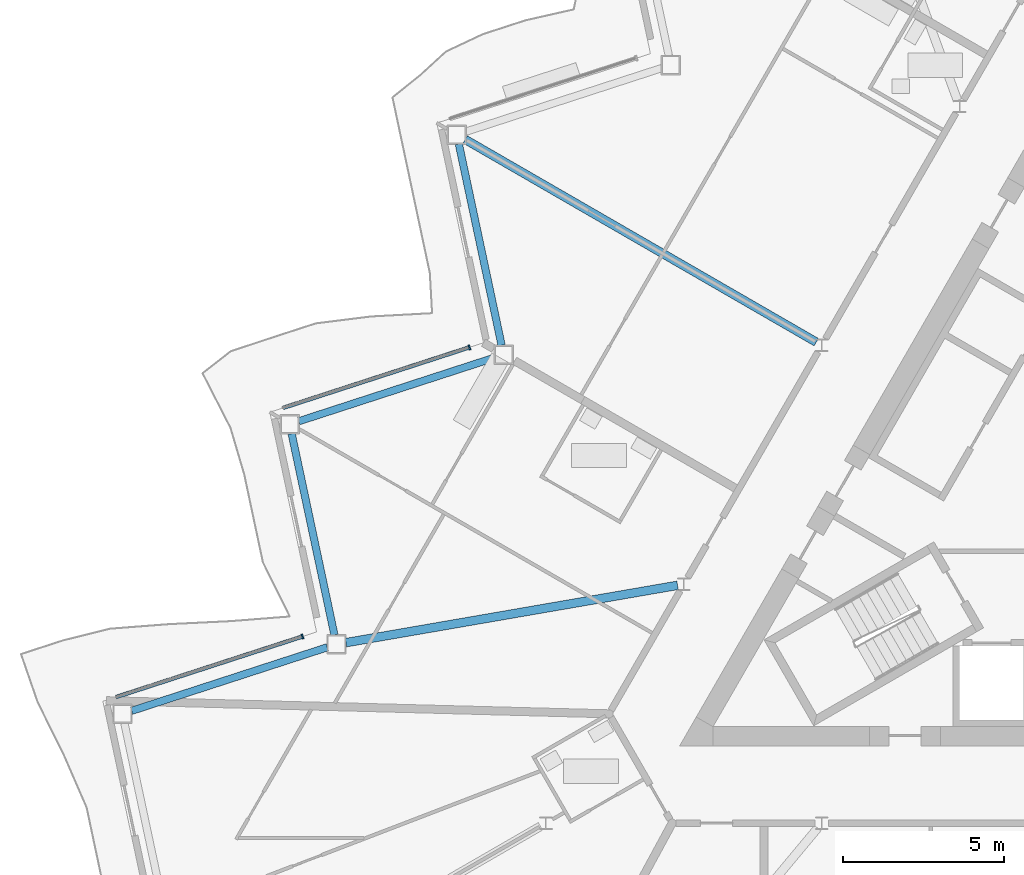
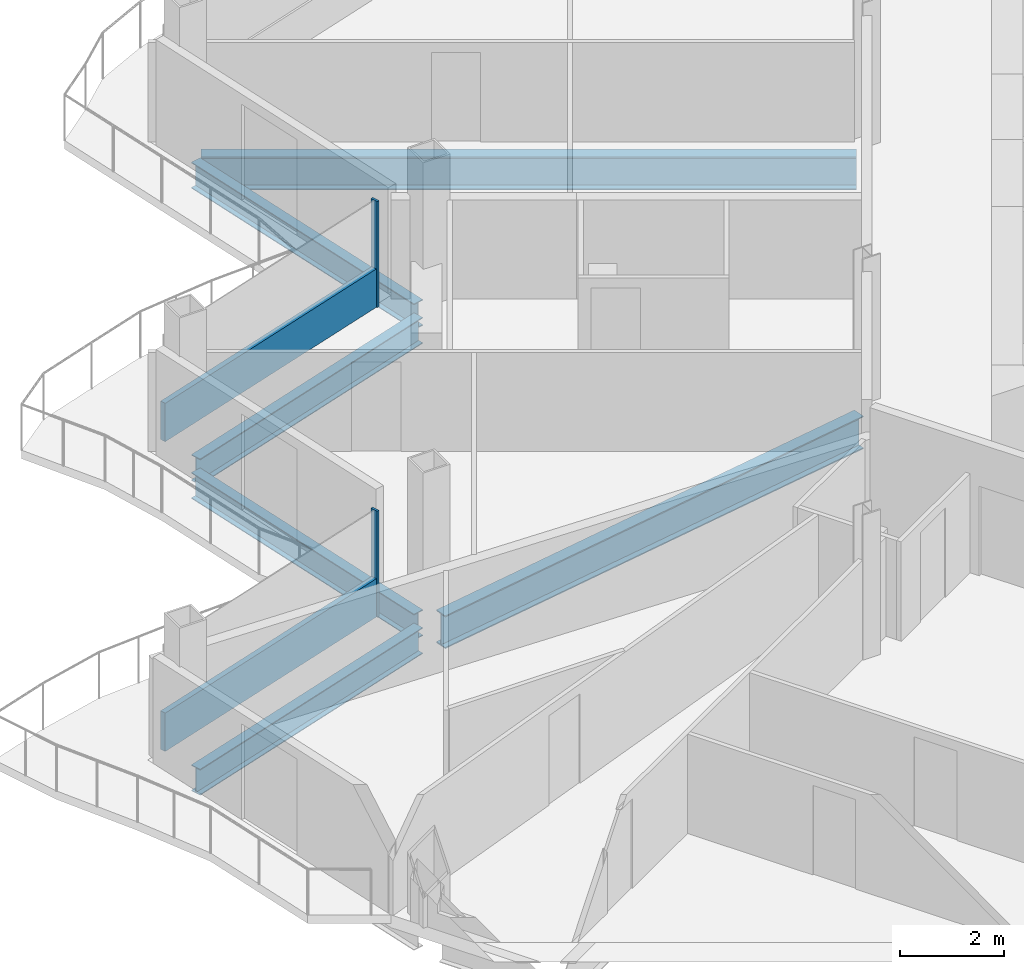
# One storey, part 6 of 28: 6 beams, 4 members, 2 elements without a shape of their own.
"""IFC4 building model written with IfcOpenShell, lengths in metres."""

from ifc_helpers import new_model, si_unit, direction, frame, origin, origin_2d, place, context, subcontext, project, spatial, rectangle, i_section, extrude, material, layer, layer_set, material_profile, profile_set, type_object, element, aggregate, save


model = new_model("IFC4")

# Units and contexts
model_context = context("Model", 3, precision=1e-05, world=origin(), true_north=direction((0.0, 1.0)))
body_context = subcontext(model_context, "Body", "Model", "MODEL_VIEW")
ifc_project = project(units=[si_unit("LENGTHUNIT", "METRE"), si_unit("AREAUNIT", "SQUARE_METRE"), si_unit("VOLUMEUNIT", "CUBIC_METRE"), si_unit("PLANEANGLEUNIT", "RADIAN"), si_unit("MASSUNIT", "GRAM", prefix="KILO")], contexts=[model_context])

# Site, building, storey
site_placement = place(None, origin())
site = spatial("IfcSite", under=ifc_project, at=site_placement, CompositionType="ELEMENT")
building_placement = place(site_placement, origin())
building = spatial("IfcBuilding", under=site, at=building_placement, Name="Cormorant Prow Tower", CompositionType="ELEMENT")
storey_placement = place(building_placement, frame((0.0, 0.0, 308.60009765625)))
storey = spatial("IfcBuildingStorey", under=building, at=storey_placement, Name="L67", CompositionType="ELEMENT", Elevation=308.60009765625)

# Beams
ifc_material_1 = material(Name="Structural steel ASTM A992 Gr 50", Category="steel")
ifc_material_profile_1 = material_profile(ifc_material_1, i_section(OverallWidth=0.267822265625, OverallDepth=0.77001953125, WebThickness=0.015625, FlangeThickness=0.025390625, at=origin_2d()), Name="W30x132")
ifc_profile_set_1 = profile_set([ifc_material_profile_1], Name="Structural steel ASTM A992 Gr 50")
beam_type_1 = type_object("IfcBeamType", Name="Radial floor beam W30x132", PredefinedType="BEAM", material=ifc_profile_set_1)
beam_1_placement = place(storey_placement, frame((-8.749755859375, 5.051513671875, -0.68505859375), z_axis=(-0.866021086443, 0.50000747778, 0.0), x_axis=(-0.50000747778, -0.866021086443, 0.0)))
element("IfcBeam", 1, at=beam_1_placement, inside=storey, type_object=beam_type_1, Name="Radial floor beam FB3 3 L67", PredefinedType="BEAM", context=body_context, shape_type="SweptSolid", body=[
    extrude(i_section(OverallWidth=0.267822265625, OverallDepth=0.77001953125, WebThickness=0.015625, FlangeThickness=0.025390625, at=origin_2d()), origin(), (0.0, 0.0, 1.0), 12.604736328125),
])
beam_2_placement = place(storey_placement, frame((-13.0625, -2.510009765625, -0.68505859375), z_axis=(-0.985379592304, -0.170373293304, 0.0), x_axis=(0.170373293304, -0.985379592304, 0.0)))
element("IfcBeam", 2, at=beam_2_placement, inside=storey, type_object=beam_type_1, Name="Radial floor beam FB3 4 L67", PredefinedType="BEAM", context=body_context, shape_type="SweptSolid", body=[
    extrude(i_section(OverallWidth=0.267822265625, OverallDepth=0.77001953125, WebThickness=0.015625, FlangeThickness=0.025390625, at=origin_2d()), origin(), (0.0, 0.0, 1.0), 10.465087890625),
])

# Curtain wall, member
ifc_material_2 = material(Name="Aluminium 6063-T6", Category="aluminium")
ifc_layer = layer(ifc_material_2, 0.159912109375)
ifc_layer_set = layer_set([ifc_layer], Name="Aluminium 6063-T6")
curtain_wall_type = type_object("IfcCurtainWallType", Name="Residential unitised curtain wall 160", PredefinedType="NOTDEFINED", material=ifc_layer_set)
curtain_wall_1_placement = place(storey_placement, origin())
curtain_wall_1 = element("IfcCurtainWall", 3, at=curtain_wall_1_placement, inside=storey, type_object=curtain_wall_type, Name="Residential curtain wall WNW06", PredefinedType="NOTDEFINED")
ifc_material_3 = material(Name="Aluminium 6063-T6", Category="aluminium")
ifc_material_profile_2 = material_profile(ifc_material_3, rectangle(XDim=0.159912109375, YDim=0.050048828125, at=origin_2d()), Name="Residential mullion 50x160")
ifc_profile_set_2 = profile_set([ifc_material_profile_2], Name="Aluminium 6063-T6")
member_type_1 = type_object("IfcMemberType", Name="Residential mullion 50x160", PredefinedType="MULLION", material=ifc_profile_set_2)
member_1_placement = place(storey_placement, frame((-19.5341796875, 4.89013671875, 0.0), z_axis=(0.0, 0.0, 1.0), x_axis=(0.309017039823, -0.951056501528, 0.0)))
member_1 = element("IfcMember", 4, at=member_1_placement, type_object=member_type_1, Name="Residential mullion WNW06", PredefinedType="MULLION", context=body_context, shape_type="SweptSolid", body=[
    extrude(rectangle(XDim=0.159912109375, YDim=0.050048828125, at=origin_2d()), origin(), (0.0, 0.0, 1.0), 2.48779296875),
])

curtain_wall_2_placement = place(storey_placement, origin())
curtain_wall_2 = element("IfcCurtainWall", 5, at=curtain_wall_2_placement, inside=storey, type_object=curtain_wall_type, Name="Residential curtain wall WNW08", PredefinedType="NOTDEFINED")
member_2_placement = place(storey_placement, frame((-24.72509765625, -4.100830078125, 0.0), z_axis=(0.0, 0.0, 1.0), x_axis=(0.309016868255, -0.951056557274, 0.0)))
member_2 = element("IfcMember", 6, at=member_2_placement, type_object=member_type_1, Name="Residential mullion WNW08", PredefinedType="MULLION", context=body_context, shape_type="SweptSolid", body=[
    extrude(rectangle(XDim=0.159912109375, YDim=0.050048828125, at=origin_2d()), origin(), (0.0, 0.0, 1.0), 2.48779296875),
])

# Member
ifc_material_4 = material(Name="Terracotta", Category="masonry")
ifc_material_profile_3 = material_profile(ifc_material_4, rectangle(XDim=0.1201171875, YDim=0.89990234375, at=origin_2d()), Name="Residential terracotta spandrel rail 120x900")
ifc_profile_set_3 = profile_set([ifc_material_profile_3], Name="Terracotta")
member_type_2 = type_object("IfcMemberType", Name="Residential terracotta spandrel rail 120x900", PredefinedType="USERDEFINED", material=ifc_profile_set_3)
member_3_placement = place(storey_placement, frame((-19.557861328125, 4.88232421875, 0.449951171875), z_axis=(-0.951062157434, -0.308999632195, 0.0), x_axis=(0.308999632195, -0.951062157434, 0.0)))
member_3 = element("IfcMember", 7, at=member_3_placement, type_object=member_type_2, Name="Residential spandrel rail WNW06", ObjectType="TRANSOM", PredefinedType="USERDEFINED", context=body_context, shape_type="SweptSolid", body=[
    extrude(rectangle(XDim=0.1201171875, YDim=0.89990234375, at=origin_2d()), origin(), (0.0, 0.0, 1.0), 6.067138671875),
])

aggregate(curtain_wall_1, [member_1, member_3])

member_4_placement = place(storey_placement, frame((-24.748779296875, -4.108642578125, 0.449951171875), z_axis=(-0.951062157434, -0.308999632195, 0.0), x_axis=(0.308999632195, -0.951062157434, 0.0)))
member_4 = element("IfcMember", 8, at=member_4_placement, type_object=member_type_2, Name="Residential spandrel rail WNW08", ObjectType="TRANSOM", PredefinedType="USERDEFINED", context=body_context, shape_type="SweptSolid", body=[
    extrude(rectangle(XDim=0.1201171875, YDim=0.89990234375, at=origin_2d()), origin(), (0.0, 0.0, 1.0), 6.067138671875),
])

aggregate(curtain_wall_2, [member_2, member_4])

# Beams
ifc_material_5 = material(Name="Structural steel ASTM A992 Gr 50", Category="steel")
ifc_material_profile_4 = material_profile(ifc_material_5, i_section(OverallWidth=0.22900390625, OverallDepth=0.612060546875, WebThickness=0.011962890625, FlangeThickness=0.01953125, at=origin_2d()), Name="W24x84")
ifc_profile_set_4 = profile_set([ifc_material_profile_4], Name="Structural steel ASTM A992 Gr 50")
beam_type_2 = type_object("IfcBeamType", Name="Spandrel beam W24x84", PredefinedType="SPANDREL", material=ifc_profile_set_4)
beam_3_placement = place(storey_placement, frame((-19.86328125, 11.210693359375, -0.606201171875), z_axis=(0.20791262393, -0.978147402394, 0.0), x_axis=(0.978147402394, 0.20791262393, 0.0)))
element("IfcBeam", 9, at=beam_3_placement, inside=storey, type_object=beam_type_2, Name="Spandrel beam SB3 WNW05-WNW06 L67", PredefinedType="SPANDREL", context=body_context, shape_type="SweptSolid", body=[
    extrude(i_section(OverallWidth=0.22900390625, OverallDepth=0.612060546875, WebThickness=0.011962890625, FlangeThickness=0.01953125, at=origin_2d()), origin(), (0.0, 0.0, 1.0), 6.396240234375),
])
beam_4_placement = place(storey_placement, frame((-18.75634765625, 4.568115234375, -0.606201171875), z_axis=(-0.951064359156, -0.308992855489, 0.0), x_axis=(0.308992855489, -0.951064359156, 0.0)))
element("IfcBeam", 10, at=beam_4_placement, inside=storey, type_object=beam_type_2, Name="Spandrel beam SB3 WNW06-WNW07 L67", PredefinedType="SPANDREL", context=body_context, shape_type="SweptSolid", body=[
    extrude(i_section(OverallWidth=0.22900390625, OverallDepth=0.612060546875, WebThickness=0.011962890625, FlangeThickness=0.01953125, at=origin_2d()), origin(), (0.0, 0.0, 1.0), 6.39599609375),
])
beam_5_placement = place(storey_placement, frame((-25.062255859375, 2.20556640625, -0.606201171875), z_axis=(0.20791262393, -0.978147402394, 0.0), x_axis=(0.978147402394, 0.20791262393, 0.0)))
element("IfcBeam", 11, at=beam_5_placement, inside=storey, type_object=beam_type_2, Name="Spandrel beam SB3 WNW07-WNW08 L67", PredefinedType="SPANDREL", context=body_context, shape_type="SweptSolid", body=[
    extrude(i_section(OverallWidth=0.22900390625, OverallDepth=0.612060546875, WebThickness=0.011962890625, FlangeThickness=0.01953125, at=origin_2d()), origin(), (0.0, 0.0, 1.0), 6.396240234375),
])
beam_6_placement = place(storey_placement, frame((-23.955322265625, -4.43701171875, -0.606201171875), z_axis=(-0.951064359156, -0.308992855489, 0.0), x_axis=(0.308992855489, -0.951064359156, 0.0)))
element("IfcBeam", 12, at=beam_6_placement, inside=storey, type_object=beam_type_2, Name="Spandrel beam SB3 WNW08-WNW09 L67", PredefinedType="SPANDREL", context=body_context, shape_type="SweptSolid", body=[
    extrude(i_section(OverallWidth=0.22900390625, OverallDepth=0.612060546875, WebThickness=0.011962890625, FlangeThickness=0.01953125, at=origin_2d()), origin(), (0.0, 0.0, 1.0), 6.39599609375),
])

save(model, "model.ifc")
